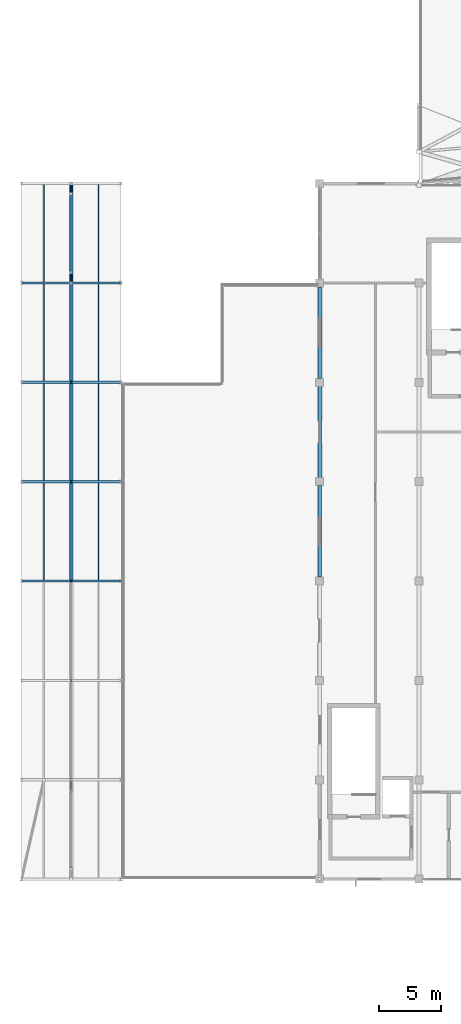
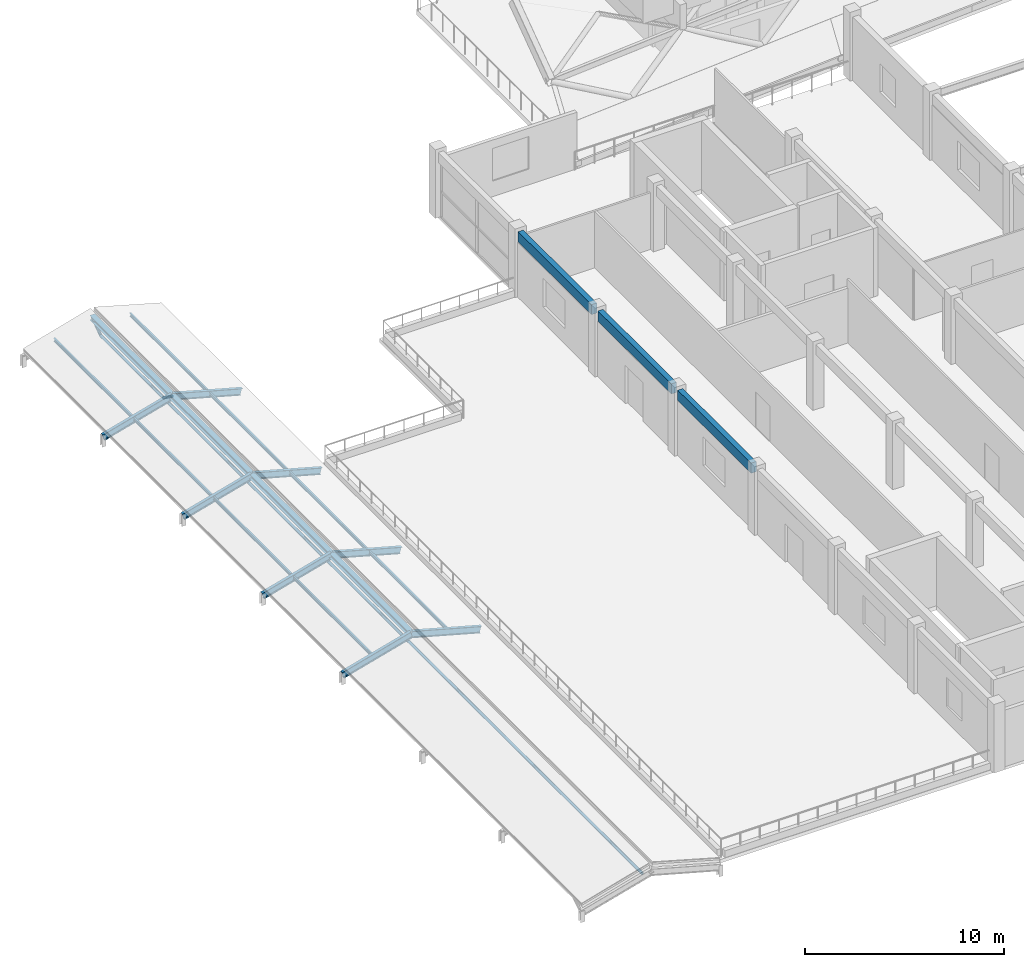
# One storey, part 7 of 67: 15 members, 11 beams.
"""IFC4 building model written with IfcOpenShell, lengths in metres."""

from ifc_helpers import new_model, si_unit, direction, frame, origin, origin_2d, place, context, subcontext, project, spatial, rectangle, hollow_circle, i_section, extrude, material, material_profile, profile_set, type_object, element, save


model = new_model("IFC4")

# Units and contexts
model_context = context("Model", 3, precision=1e-05, world=origin(), true_north=direction((0.0, 1.0)))
body_context = subcontext(model_context, "Body", "Model", "MODEL_VIEW")
ifc_project = project(units=[si_unit("LENGTHUNIT", "METRE"), si_unit("AREAUNIT", "SQUARE_METRE"), si_unit("VOLUMEUNIT", "CUBIC_METRE"), si_unit("PLANEANGLEUNIT", "RADIAN"), si_unit("MASSUNIT", "GRAM", prefix="KILO")], contexts=[model_context])

# Site, building, storey
site_placement = place(None, origin())
site = spatial("IfcSite", under=ifc_project, at=site_placement, CompositionType="ELEMENT")
building_placement = place(site_placement, origin())
building = spatial("IfcBuilding", under=site, at=building_placement, Name="Kenh Van Central Station", CompositionType="ELEMENT")
storey_placement = place(building_placement, frame((0.0, 0.0, 10.800048828125)))
storey = spatial("IfcBuildingStorey", under=building, at=storey_placement, Name="L02", CompositionType="ELEMENT", Elevation=10.800048828125)

# Beams
ifc_material_1 = material(Name="Steel S355", Category="steel")
ifc_material_profile_1 = material_profile(ifc_material_1, i_section(OverallWidth=0.179931640625, OverallDepth=0.39990234375, WebThickness=0.008544921875, FlangeThickness=0.013427734375, FilletRadius=0.02099609375, at=origin_2d()), Name="IPE 400")
ifc_profile_set_1 = profile_set([ifc_material_profile_1], Name="Steel S355")
beam_type_1 = type_object("IfcBeamType", Name="BM-STL-IPE400", PredefinedType="BEAM", material=ifc_profile_set_1)
for number, where, z_axis, x_axis, name in (
    (1, (0.0, 32.0, -0.42919921875), (0.964214419937, 0.0, 0.265123654896), (0.0, 1.0, 0.0), "L02 roof rafter 134"),
    (2, (4.0, 32.0, 0.670654296875), (0.964214419937, 0.0, -0.265123654896), (0.0, 1.0, 0.0), "L02 roof rafter 135"),
    (3, (0.0, 40.0, -0.42919921875), (0.964214419937, 0.0, 0.265123654896), (0.0, 1.0, 0.0), "L02 roof rafter 136"),
    (4, (4.0, 40.0, 0.670654296875), (0.964214419937, 0.0, -0.265123654896), (0.0, 1.0, 0.0), "L02 roof rafter 137"),
    (5, (0.0, 48.0, -0.42919921875), (0.964214419937, 0.0, 0.265123654896), (0.0, 1.0, 0.0), "L02 roof rafter 138"),
    (6, (4.0, 48.0, 0.670654296875), (0.964214419937, 0.0, -0.265123654896), (0.0, 1.0, 0.0), "L02 roof rafter 139"),
    (7, (0.0, 56.0, -0.42919921875), (0.964214419937, 0.0, 0.265123654896), (0.0, 1.0, 0.0), "L02 roof rafter 140"),
    (8, (4.0, 56.0, 0.670654296875), (0.964214419937, 0.0, -0.265123654896), (0.0, 1.0, 0.0), "L02 roof rafter 141"),
):
    element("IfcBeam", number, at=place(storey_placement, frame(where, z_axis=z_axis, x_axis=x_axis)), inside=storey, type_object=beam_type_1, Name=name, PredefinedType="BEAM", context=body_context, shape_type="SweptSolid", body=[
        extrude(i_section(OverallWidth=0.179931640625, OverallDepth=0.39990234375, WebThickness=0.008544921875, FlangeThickness=0.013427734375, FilletRadius=0.02099609375, at=origin_2d()), origin(), (0.0, 0.0, 1.0), 4.1484375),
    ])

# Members
ifc_material_profile_2 = material_profile(ifc_material_1, i_section(OverallWidth=0.10009765625, OverallDepth=0.199951171875, WebThickness=0.005615234375, FlangeThickness=0.008544921875, FilletRadius=0.011962890625, at=origin_2d()), Name="IPE 200")
ifc_profile_set_2 = profile_set([ifc_material_profile_2], Name="Steel S355")
member_type_1 = type_object("IfcMemberType", Name="MEM-PUR-IPE200", PredefinedType="PURLIN", material=ifc_profile_set_2)
for number, where, z_axis, x_axis, name in (
    (9, (1.800048828125, 32.0, 0.065673828125), (0.0, 1.0, 0.0), (-1.0, 0.0, 0.0), "L02 roof purlin 056"),
    (10, (1.800048828125, 40.0, 0.065673828125), (0.0, 1.0, 0.0), (-1.0, 0.0, 0.0), "L02 roof purlin 057"),
    (11, (1.800048828125, 48.0, 0.065673828125), (0.0, 1.0, 0.0), (-1.0, 0.0, 0.0), "L02 roof purlin 058"),
    (12, (1.800048828125, 56.0, 0.065673828125), (0.0, 1.0, 0.0), (-1.0, 0.0, 0.0), "L02 roof purlin 059"),
    (13, (6.199951171875, 32.0, 0.065673828125), (0.0, 1.0, 0.0), (-1.0, 0.0, 0.0), "L02 roof purlin 063"),
    (14, (6.199951171875, 40.0, 0.065673828125), (0.0, 1.0, 0.0), (-1.0, 0.0, 0.0), "L02 roof purlin 064"),
    (15, (6.199951171875, 48.0, 0.065673828125), (0.0, 1.0, 0.0), (-1.0, 0.0, 0.0), "L02 roof purlin 065"),
    (16, (6.199951171875, 56.0, 0.065673828125), (0.0, 1.0, 0.0), (-1.0, 0.0, 0.0), "L02 roof purlin 066"),
):
    element("IfcMember", number, at=place(storey_placement, frame(where, z_axis=z_axis, x_axis=x_axis)), inside=storey, type_object=member_type_1, Name=name, PredefinedType="PURLIN", context=body_context, shape_type="SweptSolid", body=[
        extrude(i_section(OverallWidth=0.10009765625, OverallDepth=0.199951171875, WebThickness=0.005615234375, FlangeThickness=0.008544921875, FilletRadius=0.011962890625, at=origin_2d()), origin(), (0.0, 0.0, 1.0), 8.0),
    ])
ifc_material_profile_3 = material_profile(ifc_material_1, hollow_circle(Radius=0.084228515625, WallThickness=0.008056640625, at=origin_2d()), Name="CHS 168.3x8")
ifc_profile_set_3 = profile_set([ifc_material_profile_3], Name="Steel S355")
member_type_2 = type_object("IfcMemberType", Name="MEM-ROOF-BRC168", PredefinedType="BRACE", material=ifc_profile_set_3)
member_placement = place(storey_placement, frame((4.0, 8.85009765625, 0.05078125), z_axis=(0.0, 1.0, 0.0), x_axis=(-1.0, 0.0, 0.0)))
element("IfcMember", 17, at=member_placement, inside=storey, type_object=member_type_2, Name="L02 roof truss lower chord 036", PredefinedType="BRACE", context=body_context, shape_type="SweptSolid", body=[
    extrude(hollow_circle(Radius=0.084228515625, WallThickness=0.008056640625, at=origin_2d()), origin(), (0.0, 0.0, 1.0), 54.2998046875),
])
for number, where, z_axis, x_axis, name in (
    (18, (4.0, 56.85009765625, 0.05078125), (0.0, -0.808002927302, 0.589178469966), (1.0, 0.0, 0.0), "L02 roof truss web diagonal 039"),
    (19, (4.0, 63.14990234375, 0.05078125), (0.0, 0.808002927302, 0.589178469966), (-1.0, 0.0, 0.0), "L02 roof truss web diagonal 040"),
):
    element("IfcMember", number, at=place(storey_placement, frame(where, z_axis=z_axis, x_axis=x_axis)), inside=storey, type_object=member_type_2, Name=name, PredefinedType="BRACE", context=body_context, shape_type="SweptSolid", body=[
        extrude(hollow_circle(Radius=0.084228515625, WallThickness=0.008056640625, at=origin_2d()), origin(), (0.0, 0.0, 1.0), 1.052001953125),
    ])
ifc_material_profile_4 = material_profile(ifc_material_1, i_section(OverallWidth=0.300048828125, OverallDepth=0.2900390625, WebThickness=0.008544921875, FlangeThickness=0.013916015625, FilletRadius=0.027099609375, at=origin_2d()), Name="HEA 300")
ifc_profile_set_4 = profile_set([ifc_material_profile_4], Name="Steel S355")
member_type_3 = type_object("IfcMemberType", Name="MEM-ROOF-HEA300", PredefinedType="CHORD", material=ifc_profile_set_4)
for number, where, z_axis, x_axis, name in (
    (20, (4.0, 32.0, 0.670654296875), (0.0, 1.0, 0.0), (-1.0, 0.0, 0.0), "L02 roof ridge chord 124"),
    (21, (4.0, 40.0, 0.670654296875), (0.0, 1.0, 0.0), (-1.0, 0.0, 0.0), "L02 roof ridge chord 125"),
    (22, (4.0, 48.0, 0.670654296875), (0.0, 1.0, 0.0), (-1.0, 0.0, 0.0), "L02 roof ridge chord 126"),
    (23, (4.0, 56.0, 0.670654296875), (0.0, 1.0, 0.0), (-1.0, 0.0, 0.0), "L02 roof ridge chord 127"),
):
    element("IfcMember", number, at=place(storey_placement, frame(where, z_axis=z_axis, x_axis=x_axis)), inside=storey, type_object=member_type_3, Name=name, PredefinedType="CHORD", context=body_context, shape_type="SweptSolid", body=[
        extrude(i_section(OverallWidth=0.300048828125, OverallDepth=0.2900390625, WebThickness=0.008544921875, FlangeThickness=0.013916015625, FilletRadius=0.027099609375, at=origin_2d()), origin(), (0.0, 0.0, 1.0), 8.0),
    ])

# Beams
ifc_material_2 = material(Name="Concrete C35/45", Category="concrete")
ifc_material_profile_5 = material_profile(ifc_material_2, rectangle(XDim=0.300048828125, YDim=0.6201171875, at=origin_2d()), Name="RC 300x620")
ifc_profile_set_5 = profile_set([ifc_material_profile_5], Name="Concrete C35/45")
beam_type_2 = type_object("IfcBeamType", Name="SPD-RC-300x620", PredefinedType="SPANDREL", material=ifc_profile_set_5)
for number, where, z_axis, x_axis, name in (
    (24, (24.0, 32.31494140625, 3.669921875), (0.0, 1.0, 0.0), (-1.0, 0.0, 0.0), "L02 beam 1001"),
    (25, (24.0, 40.31494140625, 3.669921875), (0.0, 1.0, 0.0), (-1.0, 0.0, 0.0), "L02 beam 1002"),
    (26, (24.0, 48.31494140625, 3.669921875), (0.0, 1.0, 0.0), (-1.0, 0.0, 0.0), "L02 beam 1003"),
):
    element("IfcBeam", number, at=place(storey_placement, frame(where, z_axis=z_axis, x_axis=x_axis)), inside=storey, type_object=beam_type_2, Name=name, PredefinedType="SPANDREL", context=body_context, shape_type="SweptSolid", body=[
        extrude(rectangle(XDim=0.300048828125, YDim=0.6201171875, at=origin_2d()), origin(), (0.0, 0.0, 1.0), 7.3701171875),
    ])

save(model, "model.ifc")
